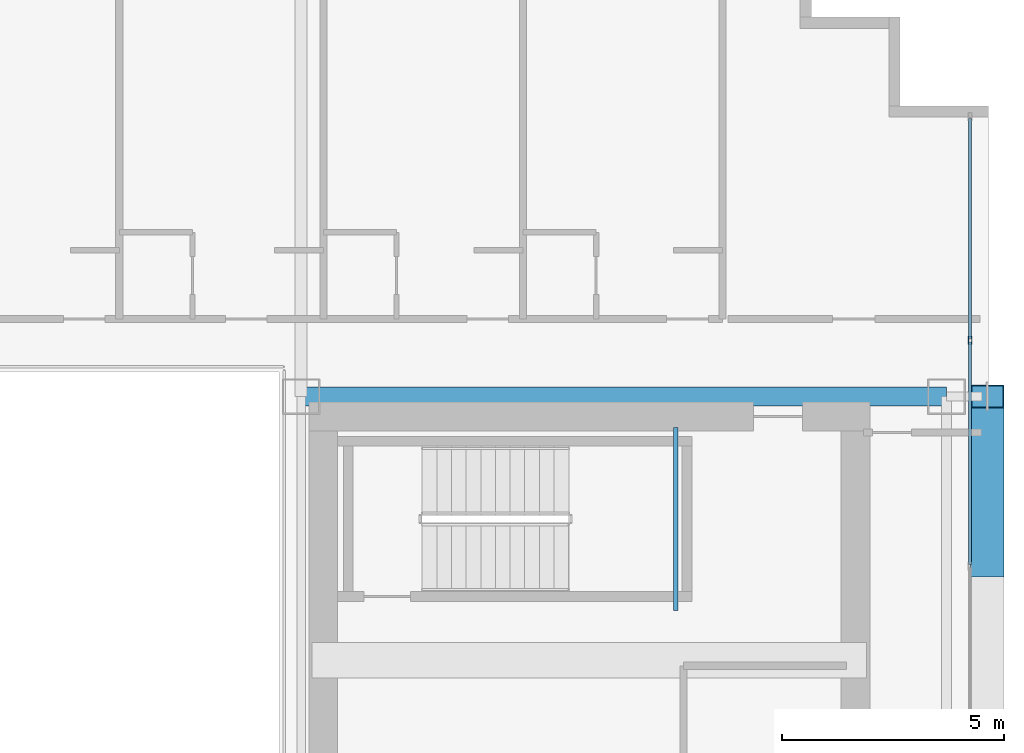
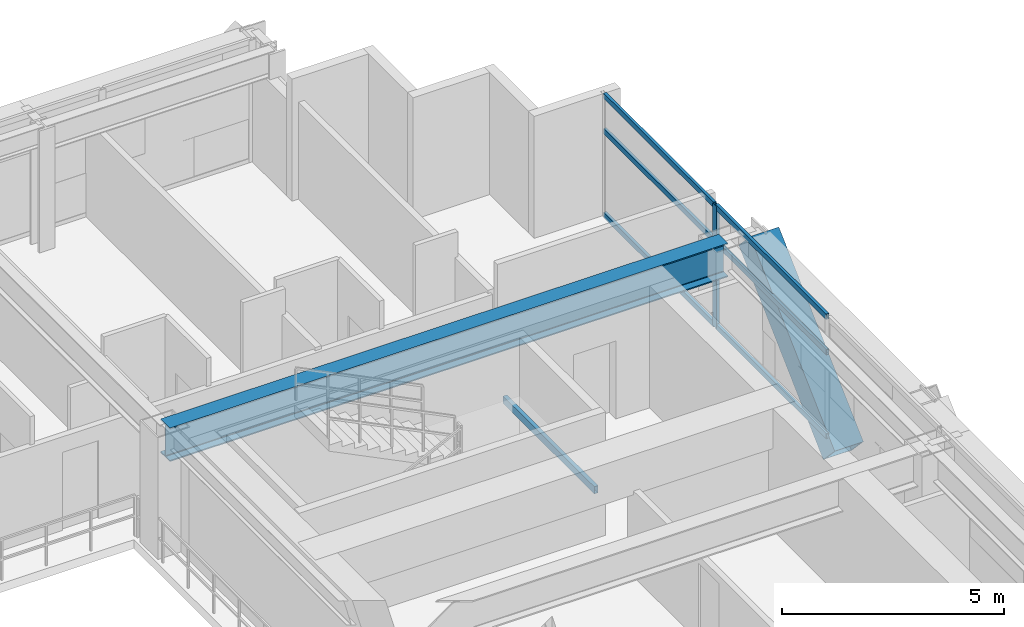
# One storey, part 20 of 36: 8 members, 2 beams, 1 element without a shape of its own.
"""IFC4 building model written with IfcOpenShell, lengths in metres."""

import ifcopenshell
import ifcopenshell.guid

model = None  # the IFC model being written
_history = None  # IfcOwnerHistory: only IFC2X3 demands one
_inside = {}  # id of a spatial element -> (the spatial element, [elements in it])
_under = {}  # id of a project, library or spatial element -> (it, [spatial elements below it])
_declared = {}  # id of a project -> (the project, [libraries it declares])
_typed = {}  # id of a type object -> (the type object, [elements of that type])
_made_of = {}  # id of a material, layer set ... -> (it, [elements and type objects made of it])


def new_model(schema):
    """Start an empty IFC model of exactly this schema.

    Asked for "IFC4X3", IfcOpenShell would pick the latest addendum, in which some entities
    have other attributes; the version numbers below select the first issue.
    IFC2X3 requires an IfcOwnerHistory on every rooted entity: one is made here for all.
    """
    global model, _history
    if schema == "IFC4X3":
        model = ifcopenshell.file(schema_version=(4, 3, 0, 0))
    else:
        model = ifcopenshell.file(schema=schema)
    _inside.clear()
    _under.clear()
    _declared.clear()
    _typed.clear()
    _made_of.clear()
    _history = None
    if model.schema == "IFC2X3":
        org = make("IfcOrganization", Name="unknown")
        user = make(
            "IfcPersonAndOrganization",
            ThePerson=make("IfcPerson", FamilyName="unknown"),
            TheOrganization=org,
        )
        app = make(
            "IfcApplication",
            ApplicationDeveloper=org,
            Version="unknown",
            ApplicationFullName="unknown",
            ApplicationIdentifier="unknown",
        )
        _history = make(
            "IfcOwnerHistory",
            OwningUser=user,
            OwningApplication=app,
            ChangeAction="ADDED",
            CreationDate=0,
        )
    return model


def make(cls, **values):
    """One entity of the class cls with the attributes given. An attribute that is None is left unset."""
    return model.create_entity(
        cls, **{name: value for name, value in values.items() if value is not None}
    )


def rooted(cls, **values):
    """An entity with a GlobalId (a new one), such as an element, a storey or a relation."""
    return make(cls, GlobalId=ifcopenshell.guid.new(), OwnerHistory=_history, **values)


def si_unit(unit_type, name, prefix=None):
    """IfcSIUnit, for example si_unit("LENGTHUNIT", "METRE", prefix="MILLI")."""
    return make("IfcSIUnit", UnitType=unit_type, Prefix=prefix, Name=name)


def assignment(units):
    """IfcUnitAssignment: the units of a project."""
    return None if units is None else make("IfcUnitAssignment", Units=units)


def point(xyz):
    """IfcCartesianPoint."""
    return None if xyz is None else make("IfcCartesianPoint", Coordinates=xyz)


def direction(xyz):
    """IfcDirection."""
    return None if xyz is None else make("IfcDirection", DirectionRatios=xyz)


def frame(location, z_axis=None, x_axis=None):
    """IfcAxis2Placement3D, a coordinate frame: its origin and axes. An axis left out is left unset."""
    return make(
        "IfcAxis2Placement3D",
        Location=point(location),
        Axis=direction(z_axis),
        RefDirection=direction(x_axis),
    )


def frame_2d(location, x_axis=None):
    """IfcAxis2Placement2D, a coordinate frame in the plane: its origin and x axis."""
    return make(
        "IfcAxis2Placement2D", Location=point(location), RefDirection=direction(x_axis)
    )


def origin():
    """The frame at (0, 0, 0) with its axes left unset."""
    return frame((0.0, 0.0, 0.0))


def origin_2d():
    """The frame at (0, 0) in the plane with its x axis left unset."""
    return frame_2d((0.0, 0.0))


def place(relative_to, where):
    """IfcLocalPlacement: puts the frame where relative to a parent placement (None: the world)."""
    return make(
        "IfcLocalPlacement", PlacementRelTo=relative_to, RelativePlacement=where
    )


def context(
    kind, dimensions, precision=None, world=None, true_north=None, identifier=None
):
    """IfcGeometricRepresentationContext, for example the 3D "Model" context."""
    return make(
        "IfcGeometricRepresentationContext",
        ContextIdentifier=identifier,
        ContextType=kind,
        CoordinateSpaceDimension=dimensions,
        Precision=precision,
        WorldCoordinateSystem=world,
        TrueNorth=true_north,
    )


def subcontext(parent, identifier, kind, view, scale=None):
    """IfcGeometricRepresentationSubContext, for example "Body" below "Model"."""
    return make(
        "IfcGeometricRepresentationSubContext",
        ContextIdentifier=identifier,
        ContextType=kind,
        ParentContext=parent,
        TargetScale=scale,
        TargetView=view,
    )


def project(units=None, contexts=None):
    """IfcProject with its units and contexts."""
    return rooted(
        "IfcProject",
        Name="project",
        RepresentationContexts=contexts,
        UnitsInContext=assignment(units),
    )


def spatial(cls, under=None, at=None, **own):
    """A site, building, storey or space (cls), placed at a placement, below another one or the project."""
    s = rooted(cls, ObjectPlacement=at, **own)
    if under is not None:
        _under.setdefault(under.id(), (under, []))[1].append(s)
    return s


def profile(cls, at=None, kind="AREA", **sizes):
    """A parametric profile (cls). Its sizes go by their IFC names, for example OverallWidth=200.0."""
    return make(cls, ProfileType=kind, Position=at, **sizes)


def hollow_rectangle(**sizes):
    """IfcRectangleHollowProfileDef."""
    return profile("IfcRectangleHollowProfileDef", **sizes)


def i_section(**sizes):
    """IfcIShapeProfileDef."""
    return profile("IfcIShapeProfileDef", **sizes)


def extrude(swept, where, along, depth):
    """IfcExtrudedAreaSolid: the profile swept, set in the frame where, extruded along a direction by depth."""
    return make(
        "IfcExtrudedAreaSolid",
        SweptArea=swept,
        Position=where,
        ExtrudedDirection=direction(along),
        Depth=depth,
    )


def shape(context_of_items, identifier, shape_type, items):
    """IfcShapeRepresentation: the items that make up one representation, for example the "Body"."""
    return make(
        "IfcShapeRepresentation",
        ContextOfItems=context_of_items,
        RepresentationIdentifier=identifier,
        RepresentationType=shape_type,
        Items=items,
    )


def source(mapping_origin, context_of_items, identifier, shape_type, items):
    """IfcRepresentationMap: a shape defined once, which mapped items show again and again."""
    return make(
        "IfcRepresentationMap",
        MappingOrigin=mapping_origin,
        MappedRepresentation=shape(context_of_items, identifier, shape_type, items),
    )


def transform(
    local_origin,
    x_axis=None,
    y_axis=None,
    z_axis=None,
    scale=None,
    scale2=None,
    scale3=None,
    uniform=True,
):
    """IfcCartesianTransformationOperator3D, or its non-uniform kind. x_axis, y_axis, z_axis: its Axis1, 2, 3."""
    if uniform:
        return make(
            "IfcCartesianTransformationOperator3D",
            Axis1=direction(x_axis),
            Axis2=direction(y_axis),
            LocalOrigin=point(local_origin),
            Scale=scale,
            Axis3=direction(z_axis),
        )
    return make(
        "IfcCartesianTransformationOperator3DnonUniform",
        Axis1=direction(x_axis),
        Axis2=direction(y_axis),
        LocalOrigin=point(local_origin),
        Scale=scale,
        Axis3=direction(z_axis),
        Scale2=scale2,
        Scale3=scale3,
    )


def mapped(mapping_source, mapping_target):
    """IfcMappedItem: shows the shape of a source again, moved by a transform."""
    return make(
        "IfcMappedItem", MappingSource=mapping_source, MappingTarget=mapping_target
    )


def material(Name=None, Category=None):
    """IfcMaterial."""
    return make("IfcMaterial", Name=Name, Category=Category)


def layer(
    of_material, thickness, ventilated=None, Name=None, Category=None, Priority=None
):
    """IfcMaterialLayer: one layer of a wall or slab, of a material (None: an air gap)."""
    return make(
        "IfcMaterialLayer",
        Material=of_material,
        LayerThickness=thickness,
        IsVentilated=ventilated,
        Name=Name,
        Category=Category,
        Priority=Priority,
    )


def layer_set(layers, Name=None):
    """IfcMaterialLayerSet."""
    return make("IfcMaterialLayerSet", MaterialLayers=layers, LayerSetName=Name)


def material_profile(
    of_material, cross_section, Name=None, Category=None, Priority=None
):
    """IfcMaterialProfile: a cross section and its material."""
    return make(
        "IfcMaterialProfile",
        Name=Name,
        Material=of_material,
        Profile=cross_section,
        Priority=Priority,
        Category=Category,
    )


def profile_set(profiles, Name=None, composite=None):
    """IfcMaterialProfileSet."""
    return make(
        "IfcMaterialProfileSet",
        Name=Name,
        MaterialProfiles=profiles,
        CompositeProfile=composite,
    )


def made_of(thing, what):
    """Note that an element or type object is made of a material, layer set ...; save() writes the relation."""
    if what is not None:
        _made_of.setdefault(what.id(), (what, []))[1].append(thing)
    return thing


def type_object(cls, material=None, **own):
    """A type object (cls), such as IfcWallType, which elements share."""
    return made_of(rooted(cls, **own), material)


def element(
    cls,
    number,
    at=None,
    inside=None,
    cuts=None,
    type_object=None,
    material=None,
    context=None,
    identifier="Body",
    shape_type=None,
    held_by="IfcProductDefinitionShape",
    body=None,
    shapes=None,
    **own,
):
    """One element of the class cls, such as IfcWall. Its Tag is "e" and its number.

    at: its placement. inside: the storey or other place that contains it. cuts: it is an
    opening in that element (IfcRelVoidsElement). A single representation is given by context,
    identifier, shape_type and body (its items); several are given by shapes. held_by: the class
    of the entity that holds the representations. save() writes the other relations.
    """
    e = rooted(cls, Tag="e%d" % number, ObjectPlacement=at, **own)
    if body is not None:
        shapes = [shape(context, identifier, shape_type, body)]
    if shapes is not None:
        e.Representation = make(held_by, Representations=shapes)
    if inside is not None:
        _inside.setdefault(inside.id(), (inside, []))[1].append(e)
    if cuts is not None:
        rooted(
            "IfcRelVoidsElement", RelatingBuildingElement=cuts, RelatedOpeningElement=e
        )
    if type_object is not None:
        _typed.setdefault(type_object.id(), (type_object, []))[1].append(e)
    return made_of(e, material)


def aggregate(whole, parts):
    """IfcRelAggregates: a whole, such as a stair, and the parts it consists of."""
    return rooted("IfcRelAggregates", RelatingObject=whole, RelatedObjects=parts)


def save(model, path):
    """Write the relations noted so far, then the file.

    IfcRelAggregates (storeys below a building ...), IfcRelContainedInSpatialStructure (elements
    in a storey), IfcRelDefinesByType, IfcRelAssociatesMaterial and IfcRelDeclares: one each for
    every whole, place, type object, material and project.
    """
    for whole, parts in _under.values():
        aggregate(whole, parts)
    for where, things in _inside.values():
        rooted(
            "IfcRelContainedInSpatialStructure",
            RelatedElements=things,
            RelatingStructure=where,
        )
    for kind, things in _typed.values():
        rooted("IfcRelDefinesByType", RelatedObjects=things, RelatingType=kind)
    for what, things in _made_of.values():
        rooted("IfcRelAssociatesMaterial", RelatedObjects=things, RelatingMaterial=what)
    for by, libraries in _declared.values():
        rooted("IfcRelDeclares", RelatingContext=by, RelatedDefinitions=libraries)
    model.write(path)


model = new_model("IFC4")

# Units and contexts
model_context = context("Model", 3, precision=1e-05, world=origin(), true_north=direction((0.0, 1.0)))
body_context = subcontext(model_context, "Body", "Model", "MODEL_VIEW")
ifc_project = project(units=[si_unit("LENGTHUNIT", "METRE"), si_unit("AREAUNIT", "SQUARE_METRE"), si_unit("VOLUMEUNIT", "CUBIC_METRE"), si_unit("PLANEANGLEUNIT", "RADIAN"), si_unit("MASSUNIT", "GRAM", prefix="KILO")], contexts=[model_context])

# Site, building, storey
site_placement = place(None, origin())
site = spatial("IfcSite", under=ifc_project, at=site_placement, CompositionType="ELEMENT")
building_placement = place(site_placement, origin())
building = spatial("IfcBuilding", under=site, at=building_placement, Name="Ocotamira Hotel", CompositionType="ELEMENT")
storey_placement = place(building_placement, frame((0.0, 0.0, 129.60009765625)))
storey = spatial("IfcBuildingStorey", under=building, at=storey_placement, Name="L32", CompositionType="ELEMENT", Elevation=129.60009765625)

# Beams
ifc_material_1 = material(Name="Steel ASTM A500 Grade C", Category="steel")
ifc_material_profile_1 = material_profile(ifc_material_1, hollow_rectangle(XDim=0.10009765625, YDim=0.199951171875, WallThickness=0.008056640625, at=origin_2d()), Name="HSS200X100X8")
ifc_profile_set_1 = profile_set([ifc_material_profile_1], Name="Steel ASTM A500 Grade C")
beam_type_1 = type_object("IfcBeamType", Name="BM-STLDG-HSS200", PredefinedType="BEAM", material=ifc_profile_set_1)
shared_shape_1 = source(origin(), body_context, "Body", "SweptSolid", [
    extrude(hollow_rectangle(XDim=0.10009765625, YDim=0.199951171875, WallThickness=0.008056640625, at=origin_2d()), origin(), (0.0, 0.0, 1.0), 4.1201171875),
])
beam_1_placement = place(storey_placement, frame((48.949951171875, 32.6298828125, 1.5), z_axis=(0.0, 1.0, 0.0), x_axis=(-1.0, 0.0, 0.0)))
element("IfcBeam", 1, at=beam_1_placement, inside=storey, type_object=beam_type_1, Name="L32 Stair ST-4 Landing Bearer 1", PredefinedType="BEAM", context=body_context, shape_type="MappedRepresentation", body=[
    mapped(shared_shape_1, transform((0.0, 0.0, 0.0), scale=1.0)),
])
ifc_material_2 = material(Name="Steel ASTM A992 Grade 50", Category="steel")
ifc_material_profile_2 = material_profile(ifc_material_2, i_section(OverallWidth=0.41796875, OverallDepth=0.927001953125, WebThickness=0.019287109375, FlangeThickness=0.031982421875, FilletRadius=0.02392578125, at=origin_2d()), Name="W36X231")
ifc_profile_set_2 = profile_set([ifc_material_profile_2], Name="Steel ASTM A992 Grade 50")
beam_type_2 = type_object("IfcBeamType", Name="BM-GIRD-W36X231", PredefinedType="BEAM", material=ifc_profile_set_2)
shared_shape_2 = source(origin(), body_context, "Body", "SweptSolid", [
    extrude(i_section(OverallWidth=0.41796875, OverallDepth=0.927001953125, WebThickness=0.019287109375, FlangeThickness=0.031982421875, FilletRadius=0.02392578125, at=origin_2d()), origin(), (0.0, 0.0, 1.0), 14.550048828125),
])
beam_2_placement = place(storey_placement, frame((40.5, 37.449951171875, 2.896484375), z_axis=(1.0, 0.0, 0.0), x_axis=(0.0, 1.0, 0.0)))
element("IfcBeam", 2, at=beam_2_placement, inside=storey, type_object=beam_type_2, Name="L32 Girder Y37.45 X40.5-55.05", PredefinedType="BEAM", context=body_context, shape_type="MappedRepresentation", body=[
    mapped(shared_shape_2, transform((0.0, 0.0, 0.0), scale=1.0)),
])

# Member
ifc_material_3 = material(Name="Pale-metal coated steel ASTM A913 Grade 65", Category="steel")
ifc_material_profile_3 = material_profile(ifc_material_3, hollow_rectangle(XDim=0.75, YDim=0.75, WallThickness=0.028076171875, at=origin_2d()), Name="BOX750X750X28")
ifc_profile_set_3 = profile_set([ifc_material_profile_3], Name="Pale-metal coated steel ASTM A913 Grade 65")
member_type_1 = type_object("IfcMemberType", Name="MEM-EXO-BOX750", PredefinedType="BRACE", material=ifc_profile_set_3)
shared_shape_3 = source(origin(), body_context, "Body", "SweptSolid", [
    extrude(hollow_rectangle(XDim=0.75, YDim=0.75, WallThickness=0.028076171875, at=origin_2d()), origin(), (0.0, 0.0, 1.0), 5.24658203125),
])
member_1_placement = place(storey_placement, frame((55.969970703125, 33.63330078125, -0.489990234375), z_axis=(0.0, 0.72746596067, 0.686143772154), x_axis=(-1.0, 0.0, 0.0)))
element("IfcMember", 3, at=member_1_placement, inside=storey, type_object=member_type_1, Name="L32 Exoskeleton Diagrid E2.2", PredefinedType="BRACE", context=body_context, shape_type="MappedRepresentation", body=[
    mapped(shared_shape_3, transform((0.0, 0.0, 0.0), scale=1.0)),
])

# Curtain wall, members
ifc_material_4 = material(Name="Anodised pale-metal aluminium and solar glass", Category="aluminium")
ifc_layer = layer(ifc_material_4, 0.179931640625)
ifc_layer_set = layer_set([ifc_layer], Name="Anodised pale-metal aluminium and solar glass")
curtain_wall_type = type_object("IfcCurtainWallType", Name="CW-SYS3-Z2", PredefinedType="NOTDEFINED", material=ifc_layer_set)
curtain_wall_placement = place(storey_placement, origin())
curtain_wall = element("IfcCurtainWall", 4, at=curtain_wall_placement, inside=storey, type_object=curtain_wall_type, Name="L32 Curtain Wall CW-3 CW-L32-E", PredefinedType="NOTDEFINED")
ifc_material_5 = material(Name="Anodised pale-metal aluminium 6063-T6", Category="aluminium")
ifc_material_profile_4 = material_profile(ifc_material_5, hollow_rectangle(XDim=0.074951171875, YDim=0.14990234375, WallThickness=0.006103515625, at=origin_2d()), Name="HSS150X75X6")
ifc_profile_set_4 = profile_set([ifc_material_profile_4], Name="Anodised pale-metal aluminium 6063-T6")
member_type_2 = type_object("IfcMemberType", Name="CWT-150X75", PredefinedType="USERDEFINED", material=ifc_profile_set_4)
shared_shape_4 = source(origin(), body_context, "Body", "SweptSolid", [
    extrude(hollow_rectangle(XDim=0.074951171875, YDim=0.14990234375, WallThickness=0.006103515625, at=origin_2d()), origin(), (0.0, 0.0, 1.0), 4.965576171875),
])
member_2_placement = place(storey_placement, frame((55.580078125, 38.75439453125, 0.037353515625), z_axis=(0.0, 1.0, 0.0), x_axis=(-1.0, 0.0, 0.0)))
member_2 = element("IfcMember", 5, at=member_2_placement, type_object=member_type_2, Name="CW-3 transom 7.1", ObjectType="TRANSOM", PredefinedType="USERDEFINED", context=body_context, shape_type="MappedRepresentation", body=[
    mapped(shared_shape_4, transform((0.0, 0.0, 0.0), scale=1.0)),
])
member_3_placement = place(storey_placement, frame((55.580078125, 38.75439453125, 2.349853515625), z_axis=(0.0, 1.0, 0.0), x_axis=(-1.0, 0.0, 0.0)))
member_3 = element("IfcMember", 6, at=member_3_placement, type_object=member_type_2, Name="CW-3 transom 7.2", ObjectType="TRANSOM", PredefinedType="USERDEFINED", context=body_context, shape_type="MappedRepresentation", body=[
    mapped(shared_shape_4, transform((0.0, 0.0, 0.0), scale=1.0)),
])
member_4_placement = place(storey_placement, frame((55.580078125, 38.75439453125, 3.322509765625), z_axis=(0.0, 1.0, 0.0), x_axis=(-1.0, 0.0, 0.0)))
member_4 = element("IfcMember", 7, at=member_4_placement, type_object=member_type_2, Name="CW-3 transom 7.3", ObjectType="TRANSOM", PredefinedType="USERDEFINED", context=body_context, shape_type="MappedRepresentation", body=[
    mapped(shared_shape_4, transform((0.0, 0.0, 0.0), scale=1.0)),
])
shared_shape_5 = source(origin(), body_context, "Body", "SweptSolid", [
    extrude(hollow_rectangle(XDim=0.074951171875, YDim=0.14990234375, WallThickness=0.006103515625, at=origin_2d()), origin(), (0.0, 0.0, 1.0), 5.005859375),
])
member_5_placement = place(storey_placement, frame((55.580078125, 33.66845703125, 0.037353515625), z_axis=(0.0, 1.0, 0.0), x_axis=(-1.0, 0.0, 0.0)))
member_5 = element("IfcMember", 8, at=member_5_placement, type_object=member_type_2, Name="CW-3 transom 6.1", ObjectType="TRANSOM", PredefinedType="USERDEFINED", context=body_context, shape_type="MappedRepresentation", body=[
    mapped(shared_shape_5, transform((0.0, 0.0, 0.0), scale=1.0)),
])
member_6_placement = place(storey_placement, frame((55.580078125, 33.66845703125, 2.349853515625), z_axis=(0.0, 1.0, 0.0), x_axis=(-1.0, 0.0, 0.0)))
member_6 = element("IfcMember", 9, at=member_6_placement, type_object=member_type_2, Name="CW-3 transom 6.2", ObjectType="TRANSOM", PredefinedType="USERDEFINED", context=body_context, shape_type="MappedRepresentation", body=[
    mapped(shared_shape_5, transform((0.0, 0.0, 0.0), scale=1.0)),
])
member_7_placement = place(storey_placement, frame((55.580078125, 33.66845703125, 3.322509765625), z_axis=(0.0, 1.0, 0.0), x_axis=(-1.0, 0.0, 0.0)))
member_7 = element("IfcMember", 10, at=member_7_placement, type_object=member_type_2, Name="CW-3 transom 6.3", ObjectType="TRANSOM", PredefinedType="USERDEFINED", context=body_context, shape_type="MappedRepresentation", body=[
    mapped(shared_shape_5, transform((0.0, 0.0, 0.0), scale=1.0)),
])
ifc_material_profile_5 = material_profile(ifc_material_5, hollow_rectangle(XDim=0.080078125, YDim=0.179931640625, WallThickness=0.006103515625, at=origin_2d()), Name="HSS180X80X6")
ifc_profile_set_5 = profile_set([ifc_material_profile_5], Name="Anodised pale-metal aluminium 6063-T6")
member_type_3 = type_object("IfcMemberType", Name="CWM-180X75", PredefinedType="MULLION", material=ifc_profile_set_5)
shared_shape_6 = source(origin(), body_context, "Body", "SweptSolid", [
    extrude(hollow_rectangle(XDim=0.080078125, YDim=0.179931640625, WallThickness=0.006103515625, at=origin_2d()), origin(), (0.0, 0.0, 1.0), 3.35986328125),
])
member_8_placement = place(storey_placement, frame((55.580078125, 38.71435546875, 0.0), z_axis=(0.0, 0.0, 1.0), x_axis=(-1.0, 0.0, 0.0)))
member_8 = element("IfcMember", 11, at=member_8_placement, type_object=member_type_3, Name="CW-3 mullion 7", PredefinedType="MULLION", context=body_context, shape_type="MappedRepresentation", body=[
    mapped(shared_shape_6, transform((0.0, 0.0, 0.0), scale=1.0)),
])
aggregate(curtain_wall, [member_8, member_5, member_6, member_7, member_2, member_3, member_4])

save(model, "model.ifc")
